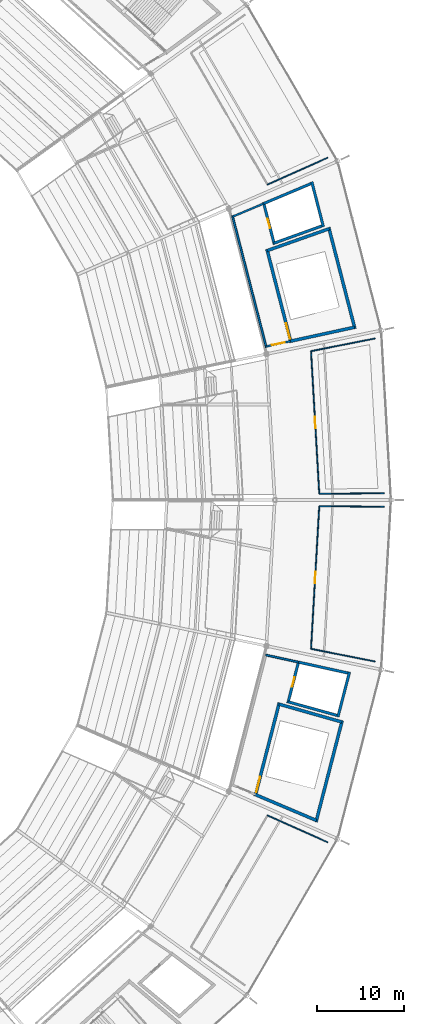
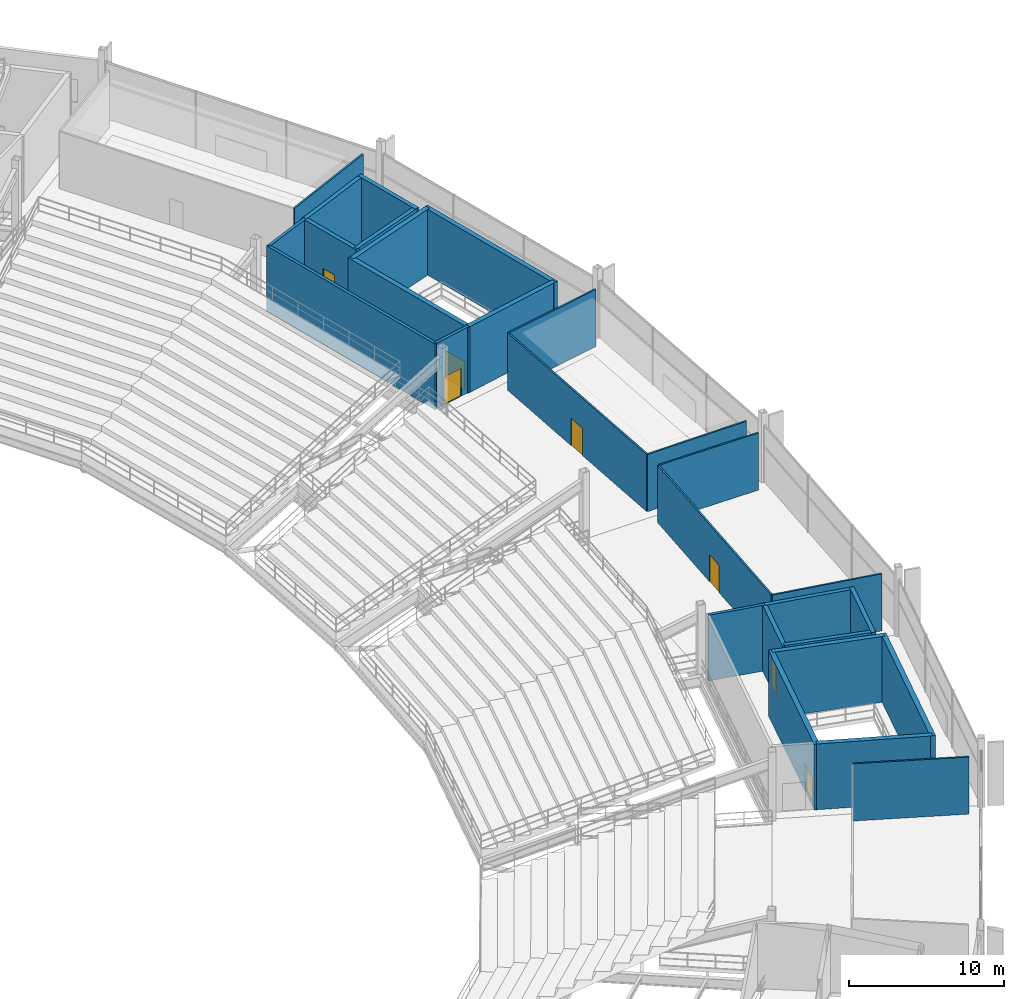
# One storey, part 129 of 186: 28 walls, 7 doors, 7 openings.
"""IFC4 building model written with IfcOpenShell, lengths in metres."""

from ifc_helpers import new_model, si_unit, direction, frame, frame_2d, origin, place, context, subcontext, project, spatial, rectangle, extrude, material, layer, layer_set, type_object, element, fill, save


model = new_model("IFC4")

# Units and contexts
model_context = context("Model", 3, precision=1e-05, world=origin(), true_north=direction((0.0, 1.0)))
body_context = subcontext(model_context, "Body", "Model", "MODEL_VIEW")
ifc_project = project(units=[si_unit("LENGTHUNIT", "METRE"), si_unit("AREAUNIT", "SQUARE_METRE"), si_unit("VOLUMEUNIT", "CUBIC_METRE"), si_unit("PLANEANGLEUNIT", "RADIAN"), si_unit("MASSUNIT", "GRAM", prefix="KILO")], contexts=[model_context])

# Site, building, storey
site_placement = place(None, origin())
site = spatial("IfcSite", under=ifc_project, at=site_placement, CompositionType="ELEMENT")
building_placement = place(site_placement, origin())
building = spatial("IfcBuilding", under=site, at=building_placement, Name="Kazemori Nagisa Stadium", CompositionType="ELEMENT")
storey_placement = place(building_placement, frame((0.0, 0.0, 20.39990234375)))
storey = spatial("IfcBuildingStorey", under=building, at=storey_placement, Name="L04", CompositionType="ELEMENT", Elevation=20.39990234375)

# Wall, opening, door
ifc_material_1 = material(Name="Concrete C40/50 (Fc42)", Category="concrete")
ifc_layer_1 = layer(ifc_material_1, 0.35009765625, Name="Concrete C40/50 (Fc42)", Category="concrete")
ifc_layer_set_1 = layer_set([ifc_layer_1], Name="Concrete C40/50 (Fc42)")
wall_type_1 = type_object("IfcWallType", Name="Wall_W-CORE-350", PredefinedType="SHEAR", material=ifc_layer_set_1)
wall_1_placement = place(storey_placement, frame((206.5625, 119.996337890625, 0.0), z_axis=(0.0, 0.0, 1.0), x_axis=(-0.249959564539, 0.968256276042, 0.0)))
wall_1 = element("IfcWall", 1, at=wall_1_placement, inside=storey, type_object=wall_type_1, Name="Core stair front shear wall ST07 L04", PredefinedType="SHEAR", context=body_context, shape_type="SweptSolid", body=[
    extrude(rectangle(XDim=11.046630859375, YDim=0.35009765625, at=frame_2d((5.5234375, 0.0))), origin(), (0.0, 0.0, 1.0), 5.18017578125),
])
opening_1_placement = place(wall_1_placement, frame((0.47509765625, 0.0, 0.0)))
opening_1 = element("IfcOpeningElement", 2, at=opening_1_placement, cuts=wall_1, Name="Opening D-ST-1800", PredefinedType="OPENING", context=body_context, shape_type="SweptSolid", body=[
    extrude(rectangle(XDim=1.800048828125, YDim=2.199951171875, at=frame_2d((0.89990234375, 1.10009765625))), frame((0.0, 0.18505859375, 0.0), z_axis=(0.0, -1.0, 0.0), x_axis=(1.0, 0.0, 0.0)), (0.0, 0.0, 1.0), 0.3701171875),
])
ifc_material_2 = material(Name="Galvanised steel sheet", Category="steel")
door_type_1 = type_object("IfcDoorType", Name="Door_D-ST-1800", OperationType="NOTDEFINED", PredefinedType="DOOR", material=ifc_material_2)
door_1_placement = place(opening_1_placement, frame((1.800048828125, 0.0, 0.0), z_axis=(0.0, 0.0, 1.0), x_axis=(-1.0, 0.0, 0.0)))
door_1 = element("IfcDoor", 3, at=door_1_placement, inside=storey, type_object=door_type_1, Name="Exit stair fire door ST07-L04", OperationType="SINGLE_SWING_RIGHT", OverallHeight=2.199951171875, OverallWidth=1.800048828125, PredefinedType="DOOR", context=body_context, shape_type="SweptSolid", body=[
    extrude(rectangle(XDim=1.800048828125, YDim=2.199951171875, at=frame_2d((0.89990234375, 1.10009765625))), frame((0.0, 0.02490234375, 0.0), z_axis=(0.0, -1.0, 0.0), x_axis=(1.0, 0.0, 0.0)), (0.0, 0.0, 1.0), 0.050048828125),
])
fill(opening_1, door_1)

# Walls
wall_2_placement = place(storey_placement, frame((213.86572265625, 121.5849609375, 0.0), z_axis=(0.0, 0.0, 1.0), x_axis=(-0.249969221583, 0.968253782983, 0.0)))
element("IfcWall", 4, at=wall_2_placement, inside=storey, type_object=wall_type_1, Name="Core stair rear shear wall ST07 L04", PredefinedType="SHEAR", context=body_context, shape_type="SweptSolid", body=[
    extrude(rectangle(XDim=11.98193359375, YDim=0.35009765625, at=frame_2d((5.990966796875, 0.0))), origin(), (0.0, 0.0, 1.0), 5.18017578125),
])
wall_3_placement = place(storey_placement, frame((206.518798828125, 120.165771484375, 0.0), z_axis=(0.0, 0.0, 1.0), x_axis=(0.977149528138, 0.2125530514, 0.0)))
element("IfcWall", 5, at=wall_3_placement, inside=storey, type_object=wall_type_1, Name="Core stair left shear wall ST07 L04", PredefinedType="SHEAR", context=body_context, shape_type="SweptSolid", body=[
    extrude(rectangle(XDim=7.47412109375, YDim=0.35009765625, at=frame_2d((3.737060546875, 0.0))), origin(), (0.0, 0.0, 1.0), 5.18017578125),
])
wall_4_placement = place(storey_placement, frame((203.844970703125, 130.52294921875, 0.0), z_axis=(0.0, 0.0, 1.0), x_axis=(0.943032412173, 0.332700871042, 0.0)))
element("IfcWall", 6, at=wall_4_placement, inside=storey, type_object=wall_type_1, Name="Core stair right shear wall ST07 L04", PredefinedType="SHEAR", context=body_context, shape_type="SweptSolid", body=[
    extrude(rectangle(XDim=7.49658203125, YDim=0.35009765625, at=frame_2d((3.748291015625, 0.0))), origin(), (0.0, 0.0, 1.0), 5.18017578125),
])

# Wall, opening, door
wall_5_placement = place(storey_placement, frame((202.46435546875, 68.129150390625, 0.0), z_axis=(0.0, 0.0, 1.0), x_axis=(0.249959564539, 0.968256276042, 0.0)))
wall_5 = element("IfcWall", 7, at=wall_5_placement, inside=storey, type_object=wall_type_1, Name="Core stair front shear wall ST10 L04", PredefinedType="SHEAR", context=body_context, shape_type="SweptSolid", body=[
    extrude(rectangle(XDim=11.046630859375, YDim=0.35009765625, at=frame_2d((5.5234375, 0.0))), origin(), (0.0, 0.0, 1.0), 5.18017578125),
])
opening_2_placement = place(wall_5_placement, frame((0.47509765625, 0.0, 0.0)))
opening_2 = element("IfcOpeningElement", 8, at=opening_2_placement, cuts=wall_5, Name="Opening D-ST-1800", PredefinedType="OPENING", context=body_context, shape_type="SweptSolid", body=[
    extrude(rectangle(XDim=1.800048828125, YDim=2.199951171875, at=frame_2d((0.89990234375, 1.10009765625))), frame((0.0, 0.18505859375, 0.0), z_axis=(0.0, -1.0, 0.0), x_axis=(1.0, 0.0, 0.0)), (0.0, 0.0, 1.0), 0.3701171875),
])
door_2_placement = place(opening_2_placement, frame((1.800048828125, 0.0, 0.0), z_axis=(0.0, 0.0, 1.0), x_axis=(-1.0, 0.0, 0.0)))
door_2 = element("IfcDoor", 9, at=door_2_placement, inside=storey, type_object=door_type_1, Name="Exit stair fire door ST10-L04", OperationType="SINGLE_SWING_LEFT", OverallHeight=2.199951171875, OverallWidth=1.800048828125, PredefinedType="DOOR", context=body_context, shape_type="SweptSolid", body=[
    extrude(rectangle(XDim=1.800048828125, YDim=2.199951171875, at=frame_2d((0.89990234375, 1.10009765625))), frame((0.0, 0.02490234375, 0.0), z_axis=(0.0, -1.0, 0.0), x_axis=(1.0, 0.0, 0.0)), (0.0, 0.0, 1.0), 0.050048828125),
])
fill(opening_2, door_2)

# Walls
wall_6_placement = place(storey_placement, frame((209.4169921875, 65.18212890625, 0.0), z_axis=(0.0, 0.0, 1.0), x_axis=(0.249969221583, 0.968253782983, 0.0)))
element("IfcWall", 10, at=wall_6_placement, inside=storey, type_object=wall_type_1, Name="Core stair rear shear wall ST10 L04", PredefinedType="SHEAR", context=body_context, shape_type="SweptSolid", body=[
    extrude(rectangle(XDim=11.98193359375, YDim=0.35009765625, at=frame_2d((5.990966796875, 0.0))), origin(), (0.0, 0.0, 1.0), 5.18017578125),
])
wall_7_placement = place(storey_placement, frame((202.508056640625, 68.298583984375, 0.0), z_axis=(0.0, 0.0, 1.0), x_axis=(0.920704667209, -0.390260061728, 0.0)))
element("IfcWall", 11, at=wall_7_placement, inside=storey, type_object=wall_type_1, Name="Core stair left shear wall ST10 L04", PredefinedType="SHEAR", context=body_context, shape_type="SweptSolid", body=[
    extrude(rectangle(XDim=7.551513671875, YDim=0.35009765625, at=frame_2d((3.77587890625, 0.0))), origin(), (0.0, 0.0, 1.0), 5.18017578125),
])
wall_8_placement = place(storey_placement, frame((205.181884765625, 78.655517578125, 0.0), z_axis=(0.0, 0.0, 1.0), x_axis=(0.961945802461, -0.273240321195, 0.0)))
element("IfcWall", 12, at=wall_8_placement, inside=storey, type_object=wall_type_1, Name="Core stair right shear wall ST10 L04", PredefinedType="SHEAR", context=body_context, shape_type="SweptSolid", body=[
    extrude(rectangle(XDim=7.470458984375, YDim=0.35009765625, at=frame_2d((3.7353515625, 0.0))), origin(), (0.0, 0.0, 1.0), 5.18017578125),
])
ifc_material_3 = material(Name="Concrete C36/45 (Fc36)", Category="concrete")
ifc_layer_2 = layer(ifc_material_3, 0.219970703125, Name="Concrete C36/45 (Fc36)", Category="concrete")
ifc_layer_set_2 = layer_set([ifc_layer_2], Name="Concrete C36/45 (Fc36)")
wall_type_2 = type_object("IfcWallType", Name="Wall_W-LOBBY-220", PredefinedType="SOLIDWALL", material=ifc_layer_set_2)
wall_9_placement = place(storey_placement, frame((203.7373046875, 119.448486328125, 0.0), z_axis=(0.0, 0.0, 1.0), x_axis=(-0.249963472505, 0.968255267176, 0.0)))
element("IfcWall", 13, at=wall_9_placement, inside=storey, type_object=wall_type_2, Name="Core lobby fire wall ST07 L04", PredefinedType="SOLIDWALL", context=body_context, shape_type="SweptSolid", body=[
    extrude(rectangle(XDim=15.552978515625, YDim=0.219970703125, at=frame_2d((7.7763671875, 0.0))), origin(), (0.0, 0.0, 1.0), 5.18017578125),
])

# Wall, opening, door
wall_10_placement = place(storey_placement, frame((203.7099609375, 119.554931640625, 0.0), z_axis=(0.0, 0.0, 1.0), x_axis=(0.977160263607, 0.212503692268, 0.0)))
wall_10 = element("IfcWall", 14, at=wall_10_placement, inside=storey, type_object=wall_type_2, Name="Core lobby left wall ST07 L04", PredefinedType="SOLIDWALL", context=body_context, shape_type="SweptSolid", body=[
    extrude(rectangle(XDim=2.87451171875, YDim=0.219970703125, at=frame_2d((1.437255859375, 0.0))), origin(), (0.0, 0.0, 1.0), 5.18017578125),
])
opening_3_placement = place(wall_10_placement, frame((0.68701171875, 0.0, 0.0)))
opening_3 = element("IfcOpeningElement", 15, at=opening_3_placement, cuts=wall_10, Name="Opening D-FFL-1500", PredefinedType="OPENING", context=body_context, shape_type="SweptSolid", body=[
    extrude(rectangle(XDim=1.5, YDim=2.199951171875, at=frame_2d((0.75, 1.10009765625))), frame((0.0, 0.119873046875, 0.0), z_axis=(0.0, -1.0, 0.0), x_axis=(1.0, 0.0, 0.0)), (0.0, 0.0, 1.0), 0.239990234375),
])
door_type_2 = type_object("IfcDoorType", Name="Door_D-FFL-1500", OperationType="NOTDEFINED", PredefinedType="DOOR", material=ifc_material_2)
door_3_placement = place(opening_3_placement, frame((1.5, 0.0, 0.0), z_axis=(0.0, 0.0, 1.0), x_axis=(-1.0, 0.0, 0.0)))
door_3 = element("IfcDoor", 16, at=door_3_placement, inside=storey, type_object=door_type_2, Name="Protected lobby fire door ST07-L04", OperationType="DOUBLE_DOOR_SINGLE_SWING", OverallHeight=2.199951171875, OverallWidth=1.5, PredefinedType="DOOR", context=body_context, shape_type="SweptSolid", body=[
    extrude(rectangle(XDim=1.5, YDim=2.199951171875, at=frame_2d((0.75, 1.10009765625))), frame((0.0, 0.02490234375, 0.0), z_axis=(0.0, -1.0, 0.0), x_axis=(1.0, 0.0, 0.0)), (0.0, 0.0, 1.0), 0.050048828125),
])
fill(opening_3, door_3)

# Walls
wall_11_placement = place(storey_placement, frame((199.877197265625, 134.401123046875, 0.0), z_axis=(0.0, 0.0, 1.0), x_axis=(0.921486922561, 0.388409386535, 0.0)))
element("IfcWall", 17, at=wall_11_placement, inside=storey, type_object=wall_type_2, Name="Core lobby right wall ST07 L04", PredefinedType="SOLIDWALL", context=body_context, shape_type="SweptSolid", body=[
    extrude(rectangle(XDim=3.871337890625, YDim=0.219970703125, at=frame_2d((1.935546875, 0.0))), origin(), (0.0, 0.0, 1.0), 5.18017578125),
])
wall_12_placement = place(storey_placement, frame((203.666748046875, 84.2783203125, 0.0), z_axis=(0.0, 0.0, 1.0), x_axis=(0.976714725209, -0.214542176645, 0.0)))
element("IfcWall", 18, at=wall_12_placement, inside=storey, type_object=wall_type_2, Name="Core lobby right wall ST10 L04", PredefinedType="SOLIDWALL", context=body_context, shape_type="SweptSolid", body=[
    extrude(rectangle(XDim=3.832763671875, YDim=0.219970703125, at=frame_2d((1.91650390625, 0.0))), origin(), (0.0, 0.0, 1.0), 5.18017578125),
])

# Wall, opening, door
ifc_material_4 = material(Name="Gypsum plasterboard", Category="gypsum")
ifc_layer_3 = layer(ifc_material_4, 0.125, Name="Gypsum plasterboard", Category="gypsum")
ifc_layer_set_3 = layer_set([ifc_layer_3], Name="Gypsum plasterboard")
wall_type_3 = type_object("IfcWallType", Name="Wall_W-PART-125", PredefinedType="PARTITIONING", material=ifc_layer_set_3)
wall_13_placement = place(storey_placement, frame((209.7890625, 102.709228515625, 0.0), z_axis=(0.0, 0.0, 1.0), x_axis=(-0.057605127437, 0.998339445927, 0.0)))
wall_13 = element("IfcWall", 19, at=wall_13_placement, inside=storey, type_object=wall_type_3, Name="Room corridor partition L04-B01", PredefinedType="PARTITIONING", context=body_context, shape_type="SweptSolid", body=[
    extrude(rectangle(XDim=16.338134765625, YDim=0.125, at=frame_2d((8.1689453125, 0.0))), origin(), (0.0, 0.0, 1.0), 4.5),
])
opening_4_placement = place(wall_13_placement, frame((7.493896484375, 0.0, 0.0)))
opening_4 = element("IfcOpeningElement", 20, at=opening_4_placement, cuts=wall_13, Name="Opening D-CON-1350", PredefinedType="OPENING", context=body_context, shape_type="SweptSolid", body=[
    extrude(rectangle(XDim=1.35009765625, YDim=2.14990234375, at=frame_2d((0.675048828125, 1.074951171875))), frame((0.0, 0.072509765625, 0.0), z_axis=(0.0, -1.0, 0.0), x_axis=(1.0, 0.0, 0.0)), (0.0, 0.0, 1.0), 0.14501953125),
])
ifc_material_5 = material(Name="Anodised aluminium 6063-T5", Category="aluminium")
door_type_3 = type_object("IfcDoorType", Name="Door_D-CON-1350", OperationType="NOTDEFINED", PredefinedType="DOOR", material=ifc_material_5)
door_4_placement = place(opening_4_placement, origin())
door_4 = element("IfcDoor", 21, at=door_4_placement, inside=storey, type_object=door_type_3, Name="Room entrance door D-CON-1350 L04-B01", OperationType="SINGLE_SWING_LEFT", OverallHeight=2.14990234375, OverallWidth=1.35009765625, PredefinedType="DOOR", context=body_context, shape_type="SweptSolid", body=[
    extrude(rectangle(XDim=1.35009765625, YDim=2.14990234375, at=frame_2d((0.675048828125, 1.074951171875))), frame((0.0, 0.02490234375, 0.0), z_axis=(0.0, -1.0, 0.0), x_axis=(1.0, 0.0, 0.0)), (0.0, 0.0, 1.0), 0.050048828125),
])
fill(opening_4, door_4)

# Walls
wall_14_placement = place(storey_placement, frame((209.7890625, 102.709228515625, 0.0), z_axis=(0.0, 0.0, 1.0), x_axis=(0.999966587703, 0.008174562869, 0.0)))
element("IfcWall", 22, at=wall_14_placement, inside=storey, type_object=wall_type_3, Name="Room radial partition L04-B01-L", PredefinedType="PARTITIONING", context=body_context, shape_type="SweptSolid", body=[
    extrude(rectangle(XDim=7.40673828125, YDim=0.125, at=frame_2d((3.703369140625, 0.0))), origin(), (0.0, 0.0, 1.0), 4.5),
])
wall_15_placement = place(storey_placement, frame((208.847900390625, 119.020263671875, 0.0), z_axis=(0.0, 0.0, 1.0), x_axis=(0.980903700741, 0.194494035571, 0.0)))
element("IfcWall", 23, at=wall_15_placement, inside=storey, type_object=wall_type_3, Name="Room radial partition L04-B01-R", PredefinedType="PARTITIONING", context=body_context, shape_type="SweptSolid", body=[
    extrude(rectangle(XDim=7.46875, YDim=0.125, at=frame_2d((3.734375, 0.0))), origin(), (0.0, 0.0, 1.0), 4.5),
])
for number, where, z_axis, x_axis, name in (
    (24, (203.861083984375, 138.072265625, 0.0), (0.0, 0.0, 1.0), (0.913244381211, 0.407412199359, 0.0), "Room radial partition L04-B03-L"),
    (25, (203.861083984375, 65.927734375, 0.0), (0.0, 0.0, 1.0), (0.913244381211, -0.407412199359, 0.0), "Room radial partition L04-B26-R"),
):
    element("IfcWall", number, at=place(storey_placement, frame(where, z_axis=z_axis, x_axis=x_axis)), inside=storey, type_object=wall_type_3, Name=name, PredefinedType="PARTITIONING", context=body_context, shape_type="SweptSolid", body=[
        extrude(rectangle(XDim=7.555908203125, YDim=0.125, at=frame_2d((3.77783203125, 0.0))), origin(), (0.0, 0.0, 1.0), 4.5),
    ])

# Wall, opening, door
wall_16_placement = place(storey_placement, frame((208.847900390625, 84.979736328125, 0.0), z_axis=(0.0, 0.0, 1.0), x_axis=(0.057605127437, 0.998339445927, 0.0)))
wall_16 = element("IfcWall", 26, at=wall_16_placement, inside=storey, type_object=wall_type_3, Name="Room corridor partition L04-B28", PredefinedType="PARTITIONING", context=body_context, shape_type="SweptSolid", body=[
    extrude(rectangle(XDim=16.338134765625, YDim=0.125, at=frame_2d((8.1689453125, 0.0))), origin(), (0.0, 0.0, 1.0), 4.5),
])
opening_5_placement = place(wall_16_placement, frame((7.493896484375, 0.0, 0.0)))
opening_5 = element("IfcOpeningElement", 27, at=opening_5_placement, cuts=wall_16, Name="Opening D-CON-1350", PredefinedType="OPENING", context=body_context, shape_type="SweptSolid", body=[
    extrude(rectangle(XDim=1.35009765625, YDim=2.14990234375, at=frame_2d((0.675048828125, 1.074951171875))), frame((0.0, 0.072509765625, 0.0), z_axis=(0.0, -1.0, 0.0), x_axis=(1.0, 0.0, 0.0)), (0.0, 0.0, 1.0), 0.14501953125),
])
door_5_placement = place(opening_5_placement, origin())
door_5 = element("IfcDoor", 28, at=door_5_placement, inside=storey, type_object=door_type_3, Name="Room entrance door D-CON-1350 L04-B28", OperationType="SINGLE_SWING_RIGHT", OverallHeight=2.14990234375, OverallWidth=1.35009765625, PredefinedType="DOOR", context=body_context, shape_type="SweptSolid", body=[
    extrude(rectangle(XDim=1.35009765625, YDim=2.14990234375, at=frame_2d((0.675048828125, 1.074951171875))), frame((0.0, 0.02490234375, 0.0), z_axis=(0.0, -1.0, 0.0), x_axis=(1.0, 0.0, 0.0)), (0.0, 0.0, 1.0), 0.050048828125),
])
fill(opening_5, door_5)

# Walls
wall_17_placement = place(storey_placement, frame((208.847900390625, 84.979736328125, 0.0), z_axis=(0.0, 0.0, 1.0), x_axis=(0.980903700741, -0.194494035571, 0.0)))
element("IfcWall", 29, at=wall_17_placement, inside=storey, type_object=wall_type_3, Name="Room radial partition L04-B28-L", PredefinedType="PARTITIONING", context=body_context, shape_type="SweptSolid", body=[
    extrude(rectangle(XDim=7.46875, YDim=0.125, at=frame_2d((3.734375, 0.0))), origin(), (0.0, 0.0, 1.0), 4.5),
])
wall_18_placement = place(storey_placement, frame((209.7890625, 101.290771484375, 0.0), z_axis=(0.0, 0.0, 1.0), x_axis=(0.999966587703, -0.008174562869, 0.0)))
element("IfcWall", 30, at=wall_18_placement, inside=storey, type_object=wall_type_3, Name="Room radial partition L04-B28-R", PredefinedType="PARTITIONING", context=body_context, shape_type="SweptSolid", body=[
    extrude(rectangle(XDim=7.40673828125, YDim=0.125, at=frame_2d((3.703369140625, 0.0))), origin(), (0.0, 0.0, 1.0), 4.5),
])

# Wall, opening, door
ifc_layer_4 = layer(ifc_material_1, 0.300048828125, Name="Concrete C40/50 (Fc42)", Category="concrete")
ifc_layer_set_4 = layer_set([ifc_layer_4], Name="Concrete C40/50 (Fc42)")
wall_type_4 = type_object("IfcWallType", Name="Wall_W-SHAFT-300", PredefinedType="SHEAR", material=ifc_layer_set_4)
wall_19_placement = place(storey_placement, frame((204.65380859375, 131.22119140625, 0.0), z_axis=(0.0, 0.0, 1.0), x_axis=(-0.250003862389, 0.968244839279, 0.0)))
wall_19 = element("IfcWall", 31, at=wall_19_placement, inside=storey, type_object=wall_type_4, Name="Lift shaft front wall LP5 L04", PredefinedType="SHEAR", context=body_context, shape_type="SweptSolid", body=[
    extrude(rectangle(XDim=4.9873046875, YDim=0.300048828125, at=frame_2d((2.49365234375, 0.0))), origin(), (0.0, 0.0, 1.0), 5.18017578125),
])
opening_6_placement = place(wall_19_placement, frame((1.944091796875, 0.0, 0.0)))
opening_6 = element("IfcOpeningElement", 32, at=opening_6_placement, cuts=wall_19, Name="Opening LD-PAX", PredefinedType="OPENING", context=body_context, shape_type="SweptSolid", body=[
    extrude(rectangle(XDim=1.10009765625, YDim=2.199951171875, at=frame_2d((0.550048828125, 1.10009765625))), frame((0.0, 0.159912109375, 0.0), z_axis=(0.0, -1.0, 0.0), x_axis=(1.0, 0.0, 0.0)), (0.0, 0.0, 1.0), 0.320068359375),
])
ifc_material_6 = material(Name="Stainless steel SUS304", Category="steel")
door_type_4 = type_object("IfcDoorType", Name="Door_LD-PAX", OperationType="SLIDING_TO_RIGHT", PredefinedType="DOOR", material=ifc_material_6)
door_6_placement = place(opening_6_placement, origin())
door_6 = element("IfcDoor", 33, at=door_6_placement, inside=storey, type_object=door_type_4, Name="Lift landing door LP5-L04", OperationType="SLIDING_TO_RIGHT", OverallHeight=2.199951171875, OverallWidth=1.10009765625, PredefinedType="DOOR", context=body_context, shape_type="SweptSolid", body=[
    extrude(rectangle(XDim=1.10009765625, YDim=2.199951171875, at=frame_2d((0.550048828125, 1.10009765625))), frame((0.0, 0.02490234375, 0.0), z_axis=(0.0, -1.0, 0.0), x_axis=(1.0, 0.0, 0.0)), (0.0, 0.0, 1.0), 0.050048828125),
])
fill(opening_6, door_6)

# Walls
wall_20_placement = place(storey_placement, frame((210.263671875, 133.23974609375, 0.0), z_axis=(0.0, 0.0, 1.0), x_axis=(-0.249961459705, 0.968255786795, 0.0)))
element("IfcWall", 34, at=wall_20_placement, inside=storey, type_object=wall_type_4, Name="Lift shaft B wall LP5 L04", PredefinedType="SHEAR", context=body_context, shape_type="SweptSolid", body=[
    extrude(rectangle(XDim=5.309326171875, YDim=0.300048828125, at=frame_2d((2.65478515625, 0.0))), origin(), (0.0, 0.0, 1.0), 5.18017578125),
])
wall_21_placement = place(storey_placement, frame((204.6162109375, 131.366455078125, 0.0), z_axis=(0.0, 0.0, 1.0), x_axis=(0.940945340179, 0.338558513103, 0.0)))
element("IfcWall", 35, at=wall_21_placement, inside=storey, type_object=wall_type_4, Name="Lift shaft L wall LP5 L04", PredefinedType="SHEAR", context=body_context, shape_type="SweptSolid", body=[
    extrude(rectangle(XDim=5.962158203125, YDim=0.300048828125, at=frame_2d((2.98095703125, 0.0))), origin(), (0.0, 0.0, 1.0), 5.18017578125),
])
wall_22_placement = place(storey_placement, frame((203.444580078125, 135.90478515625, 0.0), z_axis=(0.0, 0.0, 1.0), x_axis=(0.92149593043, 0.388388015007, 0.0)))
element("IfcWall", 36, at=wall_22_placement, inside=storey, type_object=wall_type_4, Name="Lift shaft R wall LP5 L04", PredefinedType="SHEAR", context=body_context, shape_type="SweptSolid", body=[
    extrude(rectangle(XDim=6.000732421875, YDim=0.300048828125, at=frame_2d((3.00048828125, 0.0))), origin(), (0.0, 0.0, 1.0), 5.18017578125),
])

# Wall, opening, door
wall_23_placement = place(storey_placement, frame((206.200927734375, 78.772216796875, 0.0), z_axis=(0.0, 0.0, 1.0), x_axis=(0.249946120621, 0.968259746549, 0.0)))
wall_23 = element("IfcWall", 37, at=wall_23_placement, inside=storey, type_object=wall_type_4, Name="Lift shaft front wall LP8 L04", PredefinedType="SHEAR", context=body_context, shape_type="SweptSolid", body=[
    extrude(rectangle(XDim=4.9873046875, YDim=0.300048828125, at=frame_2d((2.49365234375, 0.0))), origin(), (0.0, 0.0, 1.0), 5.18017578125),
])
opening_7_placement = place(wall_23_placement, frame((1.944091796875, 0.0, 0.0)))
opening_7 = element("IfcOpeningElement", 38, at=opening_7_placement, cuts=wall_23, Name="Opening LD-PAX", PredefinedType="OPENING", context=body_context, shape_type="SweptSolid", body=[
    extrude(rectangle(XDim=1.10009765625, YDim=2.199951171875, at=frame_2d((0.550048828125, 1.10009765625))), frame((0.0, 0.159912109375, 0.0), z_axis=(0.0, -1.0, 0.0), x_axis=(1.0, 0.0, 0.0)), (0.0, 0.0, 1.0), 0.320068359375),
])
door_7_placement = place(opening_7_placement, origin())
door_7 = element("IfcDoor", 39, at=door_7_placement, inside=storey, type_object=door_type_4, Name="Lift landing door LP8-L04", OperationType="SLIDING_TO_RIGHT", OverallHeight=2.199951171875, OverallWidth=1.10009765625, PredefinedType="DOOR", context=body_context, shape_type="SweptSolid", body=[
    extrude(rectangle(XDim=1.10009765625, YDim=2.199951171875, at=frame_2d((0.550048828125, 1.10009765625))), frame((0.0, 0.02490234375, 0.0), z_axis=(0.0, -1.0, 0.0), x_axis=(1.0, 0.0, 0.0)), (0.0, 0.0, 1.0), 0.050048828125),
])
fill(opening_7, door_7)

# Walls
wall_24_placement = place(storey_placement, frame((211.922607421875, 77.185791015625, 0.0), z_axis=(0.0, 0.0, 1.0), x_axis=(0.249918349381, 0.968266914979, 0.0)))
element("IfcWall", 40, at=wall_24_placement, inside=storey, type_object=wall_type_4, Name="Lift shaft B wall LP8 L04", PredefinedType="SHEAR", context=body_context, shape_type="SweptSolid", body=[
    extrude(rectangle(XDim=5.309326171875, YDim=0.300048828125, at=frame_2d((2.65478515625, 0.0))), origin(), (0.0, 0.0, 1.0), 5.18017578125),
])
wall_25_placement = place(storey_placement, frame((206.238525390625, 78.91748046875, 0.0), z_axis=(0.0, 0.0, 1.0), x_axis=(0.963642107639, -0.267196348002, 0.0)))
element("IfcWall", 41, at=wall_25_placement, inside=storey, type_object=wall_type_4, Name="Lift shaft L wall LP8 L04", PredefinedType="SHEAR", context=body_context, shape_type="SweptSolid", body=[
    extrude(rectangle(XDim=5.937255859375, YDim=0.300048828125, at=frame_2d((2.96875, 0.0))), origin(), (0.0, 0.0, 1.0), 5.18017578125),
])
wall_26_placement = place(storey_placement, frame((207.41015625, 83.4560546875, 0.0), z_axis=(0.0, 0.0, 1.0), x_axis=(0.976707381947, -0.214575604509, 0.0)))
element("IfcWall", 42, at=wall_26_placement, inside=storey, type_object=wall_type_4, Name="Lift shaft R wall LP8 L04", PredefinedType="SHEAR", context=body_context, shape_type="SweptSolid", body=[
    extrude(rectangle(XDim=5.9404296875, YDim=0.300048828125, at=frame_2d((2.97021484375, 0.0))), origin(), (0.0, 0.0, 1.0), 5.18017578125),
])

save(model, "model.ifc")
